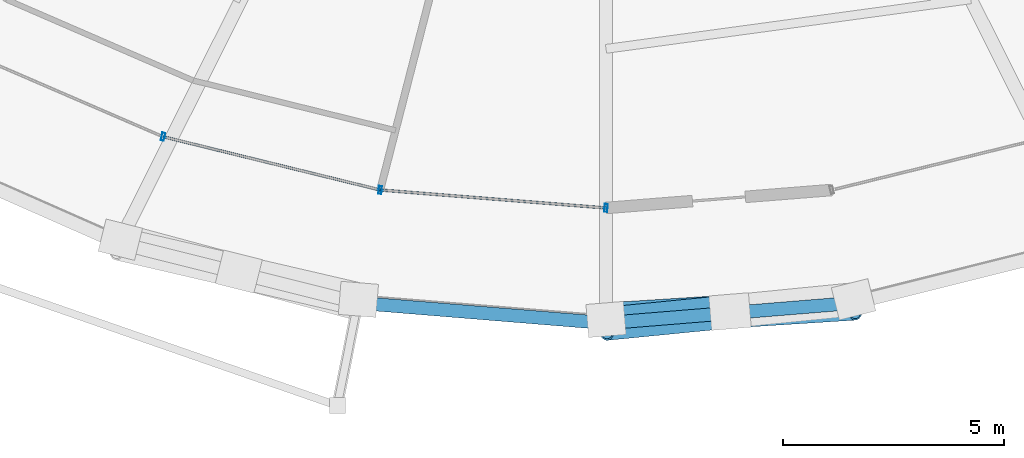
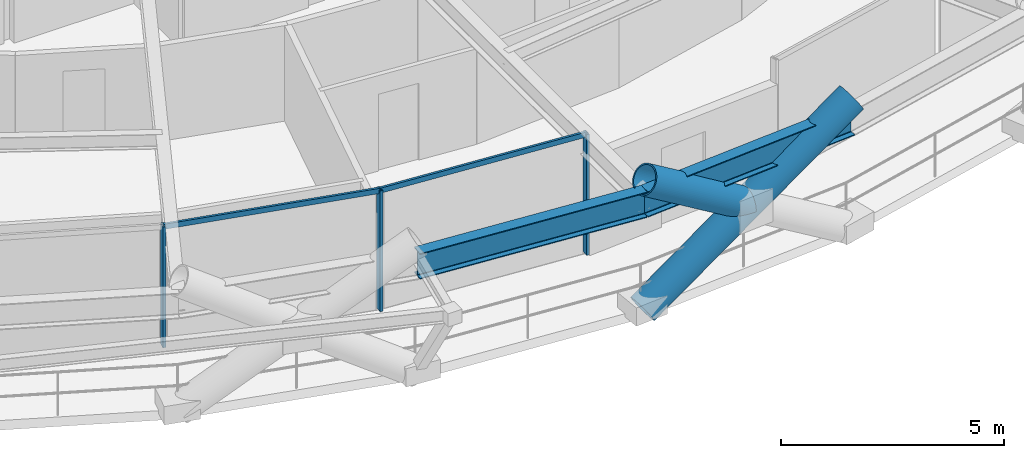
# One storey, part 4 of 21: 7 members, 2 beams, 1 element without a shape of its own.
"""IFC4 building model written with IfcOpenShell, lengths in metres."""

from ifc_helpers import new_model, si_unit, direction, frame, origin, origin_2d, place, context, subcontext, project, spatial, hollow_rectangle, hollow_circle, i_section, extrude, material, layer, layer_set, material_profile, profile_set, type_object, element, aggregate, save


model = new_model("IFC4")

# Units and contexts
model_context = context("Model", 3, precision=1e-05, world=origin(), true_north=direction((0.0, 1.0)))
body_context = subcontext(model_context, "Body", "Model", "MODEL_VIEW")
ifc_project = project(units=[si_unit("LENGTHUNIT", "METRE"), si_unit("AREAUNIT", "SQUARE_METRE"), si_unit("VOLUMEUNIT", "CUBIC_METRE"), si_unit("PLANEANGLEUNIT", "RADIAN"), si_unit("MASSUNIT", "GRAM", prefix="KILO")], contexts=[model_context])

# Site, building, storey
site_placement = place(None, origin())
site = spatial("IfcSite", under=ifc_project, at=site_placement, CompositionType="ELEMENT")
building_placement = place(site_placement, origin())
building = spatial("IfcBuilding", under=site, at=building_placement, Name="Veldorina Hangang Commons", CompositionType="ELEMENT")
storey_placement = place(building_placement, frame((0.0, 0.0, 59.199951171875)))
storey = spatial("IfcBuildingStorey", under=building, at=storey_placement, Name="L14", CompositionType="ELEMENT", Elevation=59.199951171875)

# Beams
ifc_material_1 = material(Name="Steel SM460-TMC", Category="steel")
ifc_material_profile_1 = material_profile(ifc_material_1, i_section(OverallWidth=0.300048828125, OverallDepth=0.699951171875, WebThickness=0.012939453125, FlangeThickness=0.02392578125, FilletRadius=0.02197265625, at=origin_2d()), Name="H-700x300x13x24")
ifc_profile_set_1 = profile_set([ifc_material_profile_1], Name="Steel SM460-TMC")
beam_type = type_object("IfcBeamType", Name="BM-RB700", PredefinedType="BEAM", material=ifc_profile_set_1)
for number, where, z_axis, x_axis, name in (
    (1, (26.390380859375, 0.702880859375, 2.989990234375), (0.996704543114, -0.081117530384, 0.0), (0.081117530384, 0.996704543114, 0.0), "L14 perimeter hoop ring beam 23"),
    (2, (32.0, 0.246337890625, 2.989990234375), (0.996704543114, 0.081117530384, 0.0), (-0.081117530384, 0.996704543114, 0.0), "L14 perimeter hoop ring beam 24"),
):
    element("IfcBeam", number, at=place(storey_placement, frame(where, z_axis=z_axis, x_axis=x_axis)), inside=storey, type_object=beam_type, Name=name, PredefinedType="BEAM", context=body_context, shape_type="SweptSolid", body=[
        extrude(i_section(OverallWidth=0.300048828125, OverallDepth=0.699951171875, WebThickness=0.012939453125, FlangeThickness=0.02392578125, FilletRadius=0.02197265625, at=origin_2d()), origin(), (0.0, 0.0, 1.0), 5.628173828125),
    ])

# Curtain wall, members
ifc_material_2 = material(Name="Glass Low-E Triple IGU", Category="glass")
ifc_layer = layer(ifc_material_2, 0.179931640625)
ifc_layer_set = layer_set([ifc_layer], Name="Glass Low-E Triple IGU")
curtain_wall_type = type_object("IfcCurtainWallType", Name="CW-SYS-Z1", PredefinedType="NOTDEFINED", material=ifc_layer_set)
curtain_wall_placement = place(storey_placement, origin())
curtain_wall = element("IfcCurtainWall", 3, at=curtain_wall_placement, inside=storey, type_object=curtain_wall_type, Name="L14 unitised curtain wall CW-L14-R1", PredefinedType="NOTDEFINED")
ifc_material_3 = material(Name="Aluminium Anodized AA6063-T6", Category="aluminium")
ifc_material_profile_2 = material_profile(ifc_material_3, hollow_rectangle(XDim=0.070068359375, YDim=0.179931640625, WallThickness=0.00390625, at=origin_2d()), Name="ALU-RHS-180x70x4")
ifc_profile_set_2 = profile_set([ifc_material_profile_2], Name="Aluminium Anodized AA6063-T6")
member_type_1 = type_object("IfcMemberType", Name="CW-MUL-180", PredefinedType="MULLION", material=ifc_profile_set_2)
member_1_placement = place(storey_placement, frame((21.99169921875, 4.45751953125, 0.0), z_axis=(0.0, 0.0, 1.0), x_axis=(0.971192535637, -0.238296157591, 0.0)))
member_1 = element("IfcMember", 4, at=member_1_placement, type_object=member_type_1, Name="CW-L14-R1 vertical mullion 2", PredefinedType="MULLION", context=body_context, shape_type="SweptSolid", body=[
    extrude(hollow_rectangle(XDim=0.070068359375, YDim=0.179931640625, WallThickness=0.00390625, at=origin_2d()), origin(), (0.0, 0.0, 1.0), 3.300048828125),
])
member_2_placement = place(storey_placement, frame((26.89794921875, 3.253662109375, 0.0), z_axis=(0.0, 0.0, 1.0), x_axis=(0.996842945025, -0.079398633194, 0.0)))
member_2 = element("IfcMember", 5, at=member_2_placement, type_object=member_type_1, Name="CW-L14-R1 vertical mullion 3", PredefinedType="MULLION", context=body_context, shape_type="SweptSolid", body=[
    extrude(hollow_rectangle(XDim=0.070068359375, YDim=0.179931640625, WallThickness=0.00390625, at=origin_2d()), origin(), (0.0, 0.0, 1.0), 3.300048828125),
])
member_3_placement = place(storey_placement, frame((32.0, 2.847412109375, 0.0), z_axis=(0.0, 0.0, 1.0), x_axis=(-0.996842945025, 0.079398633194, 0.0)))
member_3 = element("IfcMember", 6, at=member_3_placement, type_object=member_type_1, Name="CW-L14-R1 vertical mullion 4", PredefinedType="MULLION", context=body_context, shape_type="SweptSolid", body=[
    extrude(hollow_rectangle(XDim=0.070068359375, YDim=0.179931640625, WallThickness=0.00390625, at=origin_2d()), origin(), (0.0, 0.0, 1.0), 3.300048828125),
])
ifc_material_profile_3 = material_profile(ifc_material_3, hollow_rectangle(XDim=0.06005859375, YDim=0.139892578125, WallThickness=0.00341796875, at=origin_2d()), Name="ALU-RHS-140x60x3.5")
ifc_profile_set_3 = profile_set([ifc_material_profile_3], Name="Aluminium Anodized AA6063-T6")
member_type_2 = type_object("IfcMemberType", Name="CW-TRN-140", PredefinedType="USERDEFINED", material=ifc_profile_set_3)
member_4_placement = place(storey_placement, frame((21.99169921875, 4.45751953125, 3.260009765625), z_axis=(0.971190798839, -0.238303235921, 0.0), x_axis=(0.238303235921, 0.971190798839, 0.0)))
member_4 = element("IfcMember", 7, at=member_4_placement, type_object=member_type_2, Name="CW-L14-R1 facet 3 transom 1", ObjectType="TRANSOM", PredefinedType="USERDEFINED", context=body_context, shape_type="SweptSolid", body=[
    extrude(hollow_rectangle(XDim=0.06005859375, YDim=0.139892578125, WallThickness=0.00341796875, at=origin_2d()), origin(), (0.0, 0.0, 1.0), 5.0517578125),
])
member_5_placement = place(storey_placement, frame((26.89794921875, 3.253662109375, 3.260009765625), z_axis=(0.996844936769, -0.079373623064, 0.0), x_axis=(0.079373623064, 0.996844936769, 0.0)))
member_5 = element("IfcMember", 8, at=member_5_placement, type_object=member_type_2, Name="CW-L14-R1 facet 4 transom 1", ObjectType="TRANSOM", PredefinedType="USERDEFINED", context=body_context, shape_type="SweptSolid", body=[
    extrude(hollow_rectangle(XDim=0.06005859375, YDim=0.139892578125, WallThickness=0.00341796875, at=origin_2d()), origin(), (0.0, 0.0, 1.0), 5.1181640625),
])
aggregate(curtain_wall, [member_1, member_2, member_3, member_4, member_5])

# Members
ifc_material_profile_4 = material_profile(ifc_material_1, hollow_circle(Radius=0.375, WallThickness=0.035888671875, at=origin_2d()), Name="CHS-750x36")
ifc_profile_set_4 = profile_set([ifc_material_profile_4], Name="Steel SM460-TMC")
member_type_3 = type_object("IfcMemberType", Name="DG-CHS750", PredefinedType="BRACE", material=ifc_profile_set_4)
member_6_placement = place(storey_placement, frame((32.0, 0.327392578125, 0.0), z_axis=(0.840514246432, 0.053779750174, 0.5391136615), x_axis=(-0.063853765997, 0.997959265986, 0.0)))
element("IfcMember", 9, at=member_6_placement, inside=storey, type_object=member_type_3, Name="L14 continuous perimeter diagrid brace 24", PredefinedType="BRACE", context=body_context, shape_type="SweptSolid", body=[
    extrude(hollow_circle(Radius=0.375, WallThickness=0.035888671875, at=origin_2d()), origin(), (0.0, 0.0, 1.0), 6.677734375),
])
member_7_placement = place(storey_placement, frame((34.801513671875, 0.506591796875, 1.796875), z_axis=(-0.837988005081, -0.08273990499, 0.539379468892), x_axis=(0.098258589828, -0.995160916397, 0.0)))
element("IfcMember", 10, at=member_7_placement, inside=storey, type_object=member_type_3, Name="L14 split perimeter diagrid upper brace 25", PredefinedType="BRACE", context=body_context, shape_type="SweptSolid", body=[
    extrude(hollow_circle(Radius=0.375, WallThickness=0.035888671875, at=origin_2d()), origin(), (0.0, 0.0, 1.0), 3.34326171875),
])

save(model, "model.ifc")
